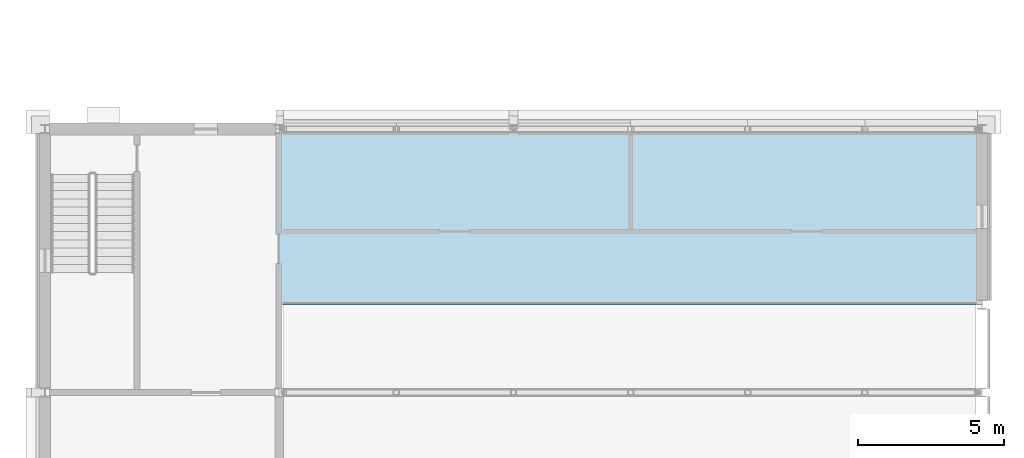
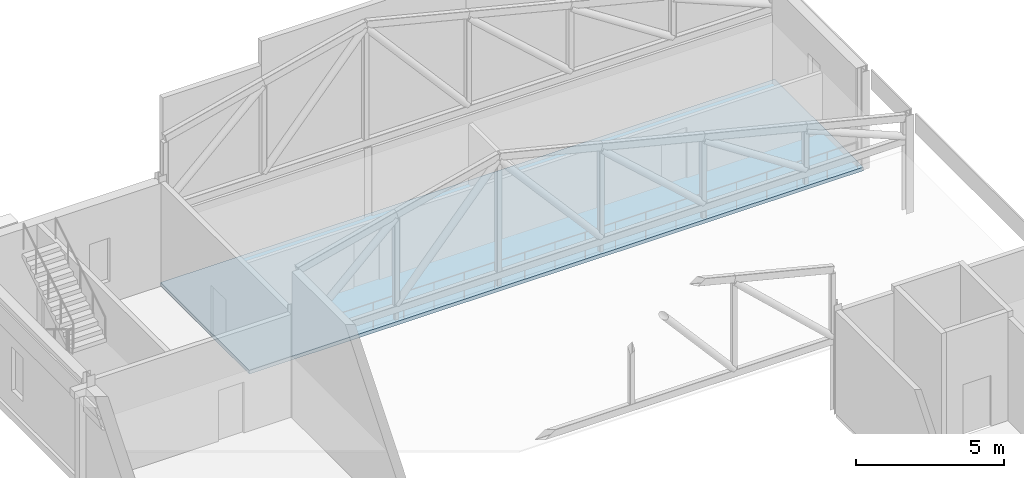
# One storey, part 86 of 149: 1 slab.
"""IFC4 building model written with IfcOpenShell, lengths in metres."""

from ifc_helpers import new_model, si_unit, direction, frame, origin, place, context, subcontext, project, spatial, polyline, outline, extrude, material, layer, layer_set, type_object, element, save


model = new_model("IFC4")

# Units and contexts
model_context = context("Model", 3, precision=1e-05, world=origin(), true_north=direction((0.0, 1.0)))
body_context = subcontext(model_context, "Body", "Model", "MODEL_VIEW")
ifc_project = project(units=[si_unit("LENGTHUNIT", "METRE"), si_unit("AREAUNIT", "SQUARE_METRE"), si_unit("VOLUMEUNIT", "CUBIC_METRE"), si_unit("PLANEANGLEUNIT", "RADIAN"), si_unit("MASSUNIT", "GRAM", prefix="KILO")], contexts=[model_context])

# Site, building, storey
site_placement = place(None, origin())
site = spatial("IfcSite", under=ifc_project, at=site_placement, CompositionType="ELEMENT")
building_placement = place(site_placement, origin())
building = spatial("IfcBuilding", under=site, at=building_placement, Name="Kallimachos Central Library", CompositionType="ELEMENT")
storey_placement = place(building_placement, frame((0.0, 0.0, 9.89990234375)))
storey = spatial("IfcBuildingStorey", under=building, at=storey_placement, Name="L02", CompositionType="ELEMENT", Elevation=9.89990234375)

# Slab
ifc_material = material(Name="Composite slab C30/37 on steel deck", Category="concrete")
ifc_layer = layer(ifc_material, 0.14990234375)
ifc_layer_set = layer_set([ifc_layer], Name="Composite floor slab 150")
slab_type = type_object("IfcSlabType", Name="Composite floor slab 150", PredefinedType="FLOOR", material=ifc_layer_set)
slab_placement = place(storey_placement, frame((0.0, 0.0, -0.14990234375)))
element("IfcSlab", 1, at=slab_placement, inside=storey, type_object=slab_type, Name="V3-SLB-L02-003", PredefinedType="FLOOR", context=body_context, shape_type="SweptSolid", body=[
    extrude(outline(polyline([(146.0, 108.0), (170.0, 108.0), (170.0, 114.0), (146.0, 114.0), (146.0, 108.0)])), origin(), (0.0, 0.0, 1.0), 0.14990234375),
])

save(model, "model.ifc")
